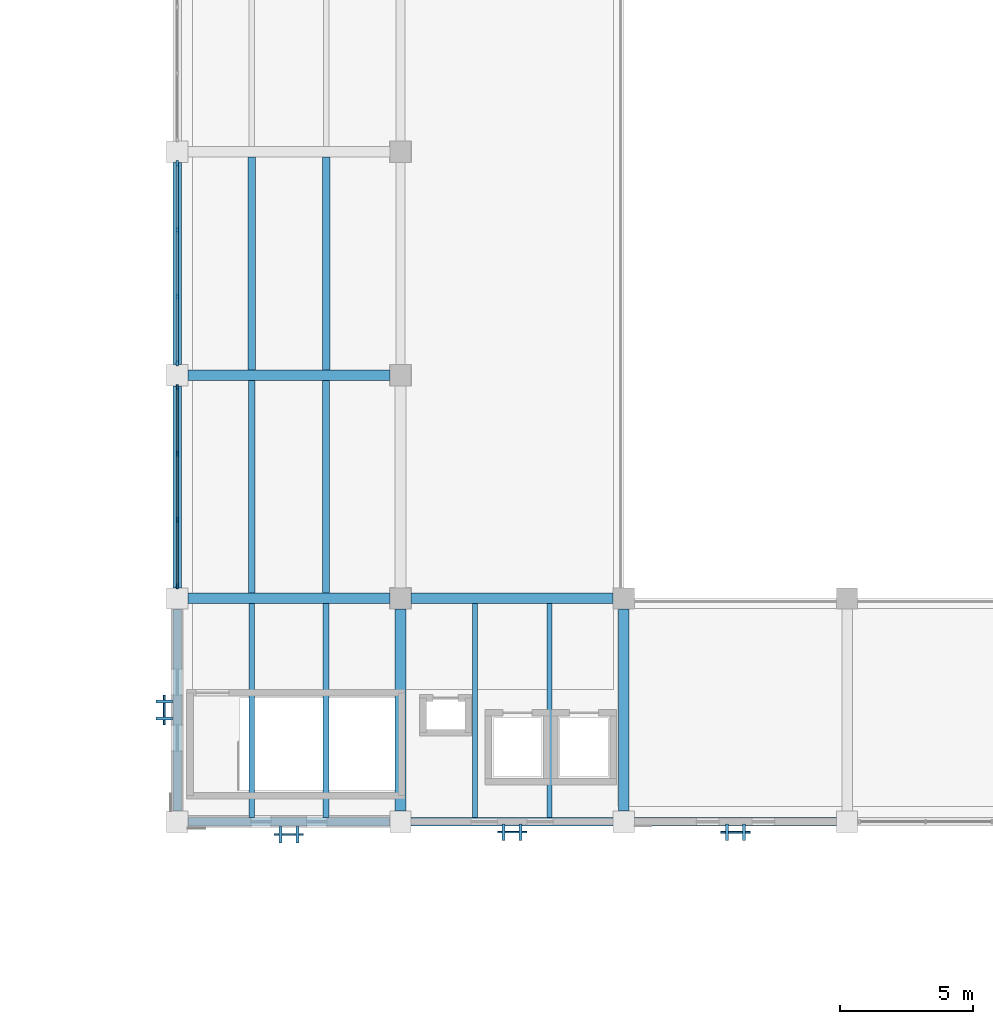
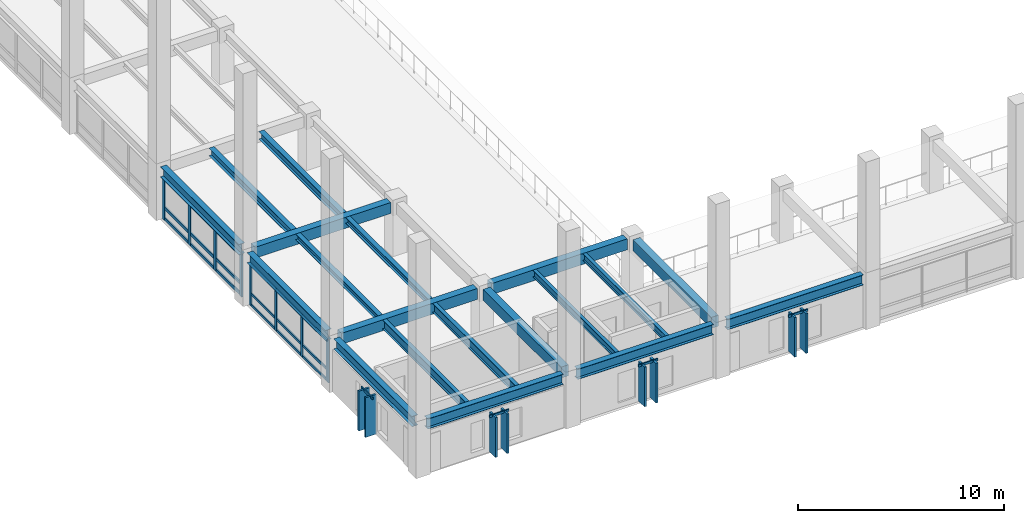
# One storey, part 2 of 64: 38 members, 19 beams, 6 elements without a shape of their own.
"""IFC4 building model written with IfcOpenShell, lengths in metres."""

from ifc_helpers import new_model, si_unit, direction, frame, origin, origin_2d, place, context, subcontext, project, spatial, rectangle, i_section, extrude, material, material_profile, profile_set, type_object, element, aggregate, save


model = new_model("IFC4")

# Units and contexts
model_context = context("Model", 3, precision=1e-05, world=origin(), true_north=direction((0.0, 1.0)))
body_context = subcontext(model_context, "Body", "Model", "MODEL_VIEW")
ifc_project = project(units=[si_unit("LENGTHUNIT", "METRE"), si_unit("AREAUNIT", "SQUARE_METRE"), si_unit("VOLUMEUNIT", "CUBIC_METRE"), si_unit("PLANEANGLEUNIT", "RADIAN"), si_unit("MASSUNIT", "GRAM", prefix="KILO")], contexts=[model_context])

# Site, building, storey
site_placement = place(None, origin())
site = spatial("IfcSite", under=ifc_project, at=site_placement, CompositionType="ELEMENT")
building_placement = place(site_placement, origin())
building = spatial("IfcBuilding", under=site, at=building_placement, Name="Cumbredor Promenade Congress Hotel", CompositionType="ELEMENT")
storey_placement = place(building_placement, frame((0.0, 0.0, 18.47998046875)))
storey = spatial("IfcBuildingStorey", under=building, at=storey_placement, Name="L05", CompositionType="ELEMENT", Elevation=18.47998046875)

# Beams
ifc_material_1 = material(Name="Concrete C40/50", Category="concrete")
ifc_material_profile_1 = material_profile(ifc_material_1, rectangle(XDim=0.39990234375, YDim=0.64990234375, at=origin_2d()), Name="RC BEAM 400x650")
ifc_profile_set_1 = profile_set([ifc_material_profile_1], Name="Concrete C40/50")
beam_type_1 = type_object("IfcBeamType", Name="BM-RC-400x650", PredefinedType="BEAM", material=ifc_profile_set_1)
for number, where, z_axis, x_axis, name in (
    (1, (8.800048828125, 16.800048828125, 2.794921875), (1.0, 0.0, 0.0), (0.0, 1.0, 0.0), "L06 X-Grid Beam 010"),
    (2, (8.800048828125, 25.199951171875, 2.794921875), (1.0, 0.0, 0.0), (0.0, 1.0, 0.0), "L06 X-Grid Beam 012"),
    (3, (16.800048828125, 8.800048828125, 2.794921875), (0.0, 1.0, 0.0), (-1.0, 0.0, 0.0), "L06 Y-Grid Beam 031"),
):
    element("IfcBeam", number, at=place(storey_placement, frame(where, z_axis=z_axis, x_axis=x_axis)), inside=storey, type_object=beam_type_1, Name=name, PredefinedType="BEAM", context=body_context, shape_type="SweptSolid", body=[
        extrude(rectangle(XDim=0.39990234375, YDim=0.64990234375, at=origin_2d()), origin(), (0.0, 0.0, 1.0), 7.599853515625),
    ])
beam_1_placement = place(storey_placement, frame((17.199951171875, 16.800048828125, 2.794921875), z_axis=(1.0, 0.0, 0.0), x_axis=(0.0, 1.0, 0.0)))
element("IfcBeam", 4, at=beam_1_placement, inside=storey, type_object=beam_type_1, Name="L06 X-Grid Beam 032", PredefinedType="BEAM", context=body_context, shape_type="SweptSolid", body=[
    extrude(rectangle(XDim=0.39990234375, YDim=0.64990234375, at=origin_2d()), origin(), (0.0, 0.0, 1.0), 7.60009765625),
])
beam_2_placement = place(storey_placement, frame((25.199951171875, 8.800048828125, 2.794921875), z_axis=(0.0, 1.0, 0.0), x_axis=(-1.0, 0.0, 0.0)))
element("IfcBeam", 5, at=beam_2_placement, inside=storey, type_object=beam_type_1, Name="L06 Y-Grid Beam 048", PredefinedType="BEAM", context=body_context, shape_type="SweptSolid", body=[
    extrude(rectangle(XDim=0.39990234375, YDim=0.64990234375, at=origin_2d()), origin(), (0.0, 0.0, 1.0), 7.599853515625),
])
ifc_material_2 = material(Name="Steel ASTM A992 Grade 50", Category="steel")
ifc_material_profile_2 = material_profile(ifc_material_2, i_section(OverallWidth=0.323974609375, OverallDepth=0.611083984375, WebThickness=0.0126953125, FlangeThickness=0.01904296875, at=origin_2d()), Name="W24X104")
ifc_profile_set_2 = profile_set([ifc_material_profile_2], Name="Steel ASTM A992 Grade 50")
beam_type_2 = type_object("IfcBeamType", Name="BM-W24X104", PredefinedType="BEAM", material=ifc_profile_set_2)
beam_3_placement = place(storey_placement, frame((8.800048828125, 8.39990234375, 2.814453125), z_axis=(1.0, 0.0, 0.0), x_axis=(0.0, 1.0, 0.0)))
element("IfcBeam", 6, at=beam_3_placement, inside=storey, type_object=beam_type_2, Name="L06 X-Grid Beam 008", PredefinedType="BEAM", context=body_context, shape_type="SweptSolid", body=[
    extrude(i_section(OverallWidth=0.323974609375, OverallDepth=0.611083984375, WebThickness=0.0126953125, FlangeThickness=0.01904296875, at=origin_2d()), origin(), (0.0, 0.0, 1.0), 7.599853515625),
])
beam_4_placement = place(storey_placement, frame((17.199951171875, 8.39990234375, 2.814453125), z_axis=(1.0, 0.0, 0.0), x_axis=(0.0, 1.0, 0.0)))
element("IfcBeam", 7, at=beam_4_placement, inside=storey, type_object=beam_type_2, Name="L06 X-Grid Beam 030", PredefinedType="BEAM", context=body_context, shape_type="SweptSolid", body=[
    extrude(i_section(OverallWidth=0.323974609375, OverallDepth=0.611083984375, WebThickness=0.0126953125, FlangeThickness=0.01904296875, at=origin_2d()), origin(), (0.0, 0.0, 1.0), 7.60009765625),
])
beam_5_placement = place(storey_placement, frame((25.60009765625, 8.39990234375, 2.814453125), z_axis=(1.0, 0.0, 0.0), x_axis=(0.0, 1.0, 0.0)))
element("IfcBeam", 8, at=beam_5_placement, inside=storey, type_object=beam_type_2, Name="L06 X-Grid Beam 047", PredefinedType="BEAM", context=body_context, shape_type="SweptSolid", body=[
    extrude(i_section(OverallWidth=0.323974609375, OverallDepth=0.611083984375, WebThickness=0.0126953125, FlangeThickness=0.01904296875, at=origin_2d()), origin(), (0.0, 0.0, 1.0), 7.599853515625),
])

# Curtain wall, members
ifc_material_3 = material(Name="Thermally broken anodized aluminium and low-E glass", Category="aluminium")
curtain_wall_type_1 = type_object("IfcCurtainWallType", Name="Unitised Bronze Curtain Wall CW-01", PredefinedType="NOTDEFINED", material=ifc_material_3)
curtain_wall_1_placement = place(storey_placement, origin())
curtain_wall_1 = element("IfcCurtainWall", 9, at=curtain_wall_1_placement, inside=storey, type_object=curtain_wall_type_1, Name="L05 Plenary Congress Hall West Curtain Wall 2", PredefinedType="NOTDEFINED")
ifc_material_4 = material(Name="Thermally broken anodized aluminium", Category="aluminium")
ifc_material_profile_3 = material_profile(ifc_material_4, rectangle(XDim=0.074951171875, YDim=0.199951171875, at=origin_2d()), Name="ALU MULLION 75x200")
ifc_profile_set_3 = profile_set([ifc_material_profile_3], Name="Thermally broken anodized aluminium")
member_type_1 = type_object("IfcMemberType", Name="Curtain Wall Mullion ML-02", PredefinedType="MULLION", material=ifc_profile_set_3)
member_1_placement = place(storey_placement, frame((8.39990234375, 17.2548828125, -0.008056640625), z_axis=(0.0, 0.0, 1.0), x_axis=(1.0, 0.0, 0.0)))
member_1 = element("IfcMember", 10, at=member_1_placement, type_object=member_type_1, Name="L05 Plenary Congress Hall West Curtain Wall 2 Mullion 1", PredefinedType="MULLION", context=body_context, shape_type="SweptSolid", body=[
    extrude(rectangle(XDim=0.074951171875, YDim=0.199951171875, at=origin_2d()), origin(), (0.0, 0.0, 1.0), 2.510009765625),
])
member_2_placement = place(storey_placement, frame((8.39990234375, 19.751708984375, -0.008056640625), z_axis=(0.0, 0.0, 1.0), x_axis=(1.0, 0.0, 0.0)))
member_2 = element("IfcMember", 11, at=member_2_placement, type_object=member_type_1, Name="L05 Plenary Congress Hall West Curtain Wall 2 Mullion 2", PredefinedType="MULLION", context=body_context, shape_type="SweptSolid", body=[
    extrude(rectangle(XDim=0.074951171875, YDim=0.199951171875, at=origin_2d()), origin(), (0.0, 0.0, 1.0), 2.510009765625),
])
member_3_placement = place(storey_placement, frame((8.39990234375, 22.248291015625, -0.008056640625), z_axis=(0.0, 0.0, 1.0), x_axis=(1.0, 0.0, 0.0)))
member_3 = element("IfcMember", 12, at=member_3_placement, type_object=member_type_1, Name="L05 Plenary Congress Hall West Curtain Wall 2 Mullion 3", PredefinedType="MULLION", context=body_context, shape_type="SweptSolid", body=[
    extrude(rectangle(XDim=0.074951171875, YDim=0.199951171875, at=origin_2d()), origin(), (0.0, 0.0, 1.0), 2.510009765625),
])
member_4_placement = place(storey_placement, frame((8.39990234375, 24.7451171875, -0.008056640625), z_axis=(0.0, 0.0, 1.0), x_axis=(1.0, 0.0, 0.0)))
member_4 = element("IfcMember", 13, at=member_4_placement, type_object=member_type_1, Name="L05 Plenary Congress Hall West Curtain Wall 2 Mullion 4", PredefinedType="MULLION", context=body_context, shape_type="SweptSolid", body=[
    extrude(rectangle(XDim=0.074951171875, YDim=0.199951171875, at=origin_2d()), origin(), (0.0, 0.0, 1.0), 2.510009765625),
])

curtain_wall_2_placement = place(storey_placement, origin())
curtain_wall_2 = element("IfcCurtainWall", 14, at=curtain_wall_2_placement, inside=storey, type_object=curtain_wall_type_1, Name="L05 Plenary Congress Hall West Curtain Wall 3", PredefinedType="NOTDEFINED")
ifc_material_profile_4 = material_profile(ifc_material_4, rectangle(XDim=0.080078125, YDim=0.239990234375, at=origin_2d()), Name="ALU MULLION 80x240")
ifc_profile_set_4 = profile_set([ifc_material_profile_4], Name="Thermally broken anodized aluminium")
member_type_2 = type_object("IfcMemberType", Name="Curtain Wall Mullion ML-03", PredefinedType="MULLION", material=ifc_profile_set_4)
member_5_placement = place(storey_placement, frame((8.39990234375, 25.655029296875, -0.008056640625), z_axis=(0.0, 0.0, 1.0), x_axis=(1.0, 0.0, 0.0)))
member_5 = element("IfcMember", 15, at=member_5_placement, type_object=member_type_2, Name="L05 Plenary Congress Hall West Curtain Wall 3 Mullion 1", PredefinedType="MULLION", context=body_context, shape_type="SweptSolid", body=[
    extrude(rectangle(XDim=0.080078125, YDim=0.239990234375, at=origin_2d()), origin(), (0.0, 0.0, 1.0), 2.510009765625),
])
member_6_placement = place(storey_placement, frame((8.39990234375, 28.151611328125, -0.008056640625), z_axis=(0.0, 0.0, 1.0), x_axis=(1.0, 0.0, 0.0)))
member_6 = element("IfcMember", 16, at=member_6_placement, type_object=member_type_2, Name="L05 Plenary Congress Hall West Curtain Wall 3 Mullion 2", PredefinedType="MULLION", context=body_context, shape_type="SweptSolid", body=[
    extrude(rectangle(XDim=0.080078125, YDim=0.239990234375, at=origin_2d()), origin(), (0.0, 0.0, 1.0), 2.510009765625),
])
member_7_placement = place(storey_placement, frame((8.39990234375, 30.648193359375, -0.008056640625), z_axis=(0.0, 0.0, 1.0), x_axis=(1.0, 0.0, 0.0)))
member_7 = element("IfcMember", 17, at=member_7_placement, type_object=member_type_2, Name="L05 Plenary Congress Hall West Curtain Wall 3 Mullion 3", PredefinedType="MULLION", context=body_context, shape_type="SweptSolid", body=[
    extrude(rectangle(XDim=0.080078125, YDim=0.239990234375, at=origin_2d()), origin(), (0.0, 0.0, 1.0), 2.510009765625),
])
member_8_placement = place(storey_placement, frame((8.39990234375, 33.14501953125, -0.008056640625), z_axis=(0.0, 0.0, 1.0), x_axis=(1.0, 0.0, 0.0)))
member_8 = element("IfcMember", 18, at=member_8_placement, type_object=member_type_2, Name="L05 Plenary Congress Hall West Curtain Wall 3 Mullion 4", PredefinedType="MULLION", context=body_context, shape_type="SweptSolid", body=[
    extrude(rectangle(XDim=0.080078125, YDim=0.239990234375, at=origin_2d()), origin(), (0.0, 0.0, 1.0), 2.510009765625),
])

# Curtain wall, member
curtain_wall_type_2 = type_object("IfcCurtainWallType", Name="Solar Brise-Soleil Screen Assembly CW-07", PredefinedType="NOTDEFINED", material=ifc_material_3)
curtain_wall_3_placement = place(storey_placement, origin())
curtain_wall_3 = element("IfcCurtainWall", 19, at=curtain_wall_3_placement, inside=storey, type_object=curtain_wall_type_2, Name="L05 Pier Brise-Soleil Screen 0805", PredefinedType="NOTDEFINED")
ifc_material_profile_5 = material_profile(ifc_material_4, rectangle(XDim=0.06494140625, YDim=0.1298828125, at=origin_2d()), Name="ALU TRANSOM 65x130")
ifc_profile_set_5 = profile_set([ifc_material_profile_5], Name="Thermally broken anodized aluminium")
member_type_3 = type_object("IfcMemberType", Name="Curtain Wall Transom TR-01", PredefinedType="USERDEFINED", material=ifc_profile_set_5)
member_9_placement = place(storey_placement, frame((12.050048828125, 7.9150390625, 2.333984375), z_axis=(1.0, 0.0, 0.0), x_axis=(0.0, 1.0, 0.0)))
member_9 = element("IfcMember", 20, at=member_9_placement, type_object=member_type_3, Name="L05 Pier Brise-Soleil Header 0807", ObjectType="TRANSOM", PredefinedType="USERDEFINED", context=body_context, shape_type="SweptSolid", body=[
    extrude(rectangle(XDim=0.06494140625, YDim=0.1298828125, at=origin_2d()), origin(), (0.0, 0.0, 1.0), 1.099853515625),
])

curtain_wall_4_placement = place(storey_placement, origin())
curtain_wall_4 = element("IfcCurtainWall", 21, at=curtain_wall_4_placement, inside=storey, type_object=curtain_wall_type_2, Name="L05 Pier Brise-Soleil Screen 0808", PredefinedType="NOTDEFINED")
member_10_placement = place(storey_placement, frame((20.449951171875, 8.010009765625, 2.333984375), z_axis=(1.0, 0.0, 0.0), x_axis=(0.0, 1.0, 0.0)))
member_10 = element("IfcMember", 22, at=member_10_placement, type_object=member_type_3, Name="L05 Pier Brise-Soleil Header 0810", ObjectType="TRANSOM", PredefinedType="USERDEFINED", context=body_context, shape_type="SweptSolid", body=[
    extrude(rectangle(XDim=0.06494140625, YDim=0.1298828125, at=origin_2d()), origin(), (0.0, 0.0, 1.0), 1.10009765625),
])

curtain_wall_5_placement = place(storey_placement, origin())
curtain_wall_5 = element("IfcCurtainWall", 23, at=curtain_wall_5_placement, inside=storey, type_object=curtain_wall_type_2, Name="L05 Pier Brise-Soleil Screen 0811", PredefinedType="NOTDEFINED")
member_11_placement = place(storey_placement, frame((28.85009765625, 8.0, 2.333984375), z_axis=(1.0, 0.0, 0.0), x_axis=(0.0, 1.0, 0.0)))
member_11 = element("IfcMember", 24, at=member_11_placement, type_object=member_type_3, Name="L05 Pier Brise-Soleil Header 0813", ObjectType="TRANSOM", PredefinedType="USERDEFINED", context=body_context, shape_type="SweptSolid", body=[
    extrude(rectangle(XDim=0.06494140625, YDim=0.1298828125, at=origin_2d()), origin(), (0.0, 0.0, 1.0), 1.099853515625),
])

curtain_wall_6_placement = place(storey_placement, origin())
curtain_wall_6 = element("IfcCurtainWall", 25, at=curtain_wall_6_placement, inside=storey, type_object=curtain_wall_type_2, Name="L05 Pier Brise-Soleil Screen 0835", PredefinedType="NOTDEFINED")
member_12_placement = place(storey_placement, frame((7.9150390625, 12.050048828125, 2.333984375), z_axis=(0.0, 1.0, 0.0), x_axis=(-1.0, 0.0, 0.0)))
member_12 = element("IfcMember", 26, at=member_12_placement, type_object=member_type_3, Name="L05 Pier Brise-Soleil Header 0837", ObjectType="TRANSOM", PredefinedType="USERDEFINED", context=body_context, shape_type="SweptSolid", body=[
    extrude(rectangle(XDim=0.06494140625, YDim=0.1298828125, at=origin_2d()), origin(), (0.0, 0.0, 1.0), 1.099853515625),
])

# Member
ifc_material_profile_6 = material_profile(ifc_material_4, rectangle(XDim=0.074951171875, YDim=0.14990234375, at=origin_2d()), Name="ALU TRANSOM 75x150")
ifc_profile_set_6 = profile_set([ifc_material_profile_6], Name="Thermally broken anodized aluminium")
member_type_4 = type_object("IfcMemberType", Name="Curtain Wall Transom TR-02", PredefinedType="USERDEFINED", material=ifc_profile_set_6)
member_13_placement = place(storey_placement, frame((8.39990234375, 17.29248046875, 0.070068359375), z_axis=(0.0, 1.0, 0.0), x_axis=(-1.0, 0.0, 0.0)))
member_13 = element("IfcMember", 27, at=member_13_placement, type_object=member_type_4, Name="L05 Plenary Congress Hall West Curtain Wall 2 Transom 1.1", ObjectType="TRANSOM", PredefinedType="USERDEFINED", context=body_context, shape_type="SweptSolid", body=[
    extrude(rectangle(XDim=0.074951171875, YDim=0.14990234375, at=origin_2d()), origin(), (0.0, 0.0, 1.0), 2.421630859375),
])

member_14_placement = place(storey_placement, frame((8.39990234375, 17.29248046875, 0.719970703125), z_axis=(0.0, 1.0, 0.0), x_axis=(-1.0, 0.0, 0.0)))
member_14 = element("IfcMember", 28, at=member_14_placement, type_object=member_type_4, Name="L05 Plenary Congress Hall West Curtain Wall 2 Transom 1.2", ObjectType="TRANSOM", PredefinedType="USERDEFINED", context=body_context, shape_type="SweptSolid", body=[
    extrude(rectangle(XDim=0.074951171875, YDim=0.14990234375, at=origin_2d()), origin(), (0.0, 0.0, 1.0), 2.421630859375),
])

member_15_placement = place(storey_placement, frame((8.39990234375, 17.29248046875, 2.419921875), z_axis=(0.0, 1.0, 0.0), x_axis=(-1.0, 0.0, 0.0)))
member_15 = element("IfcMember", 29, at=member_15_placement, type_object=member_type_4, Name="L05 Plenary Congress Hall West Curtain Wall 2 Transom 1.3", ObjectType="TRANSOM", PredefinedType="USERDEFINED", context=body_context, shape_type="SweptSolid", body=[
    extrude(rectangle(XDim=0.074951171875, YDim=0.14990234375, at=origin_2d()), origin(), (0.0, 0.0, 1.0), 2.421630859375),
])

member_16_placement = place(storey_placement, frame((8.39990234375, 19.789306640625, 0.070068359375), z_axis=(0.0, 1.0, 0.0), x_axis=(-1.0, 0.0, 0.0)))
member_16 = element("IfcMember", 30, at=member_16_placement, type_object=member_type_4, Name="L05 Plenary Congress Hall West Curtain Wall 2 Transom 2.1", ObjectType="TRANSOM", PredefinedType="USERDEFINED", context=body_context, shape_type="SweptSolid", body=[
    extrude(rectangle(XDim=0.074951171875, YDim=0.14990234375, at=origin_2d()), origin(), (0.0, 0.0, 1.0), 2.42138671875),
])

member_17_placement = place(storey_placement, frame((8.39990234375, 19.789306640625, 0.719970703125), z_axis=(0.0, 1.0, 0.0), x_axis=(-1.0, 0.0, 0.0)))
member_17 = element("IfcMember", 31, at=member_17_placement, type_object=member_type_4, Name="L05 Plenary Congress Hall West Curtain Wall 2 Transom 2.2", ObjectType="TRANSOM", PredefinedType="USERDEFINED", context=body_context, shape_type="SweptSolid", body=[
    extrude(rectangle(XDim=0.074951171875, YDim=0.14990234375, at=origin_2d()), origin(), (0.0, 0.0, 1.0), 2.42138671875),
])

member_18_placement = place(storey_placement, frame((8.39990234375, 19.789306640625, 2.419921875), z_axis=(0.0, 1.0, 0.0), x_axis=(-1.0, 0.0, 0.0)))
member_18 = element("IfcMember", 32, at=member_18_placement, type_object=member_type_4, Name="L05 Plenary Congress Hall West Curtain Wall 2 Transom 2.3", ObjectType="TRANSOM", PredefinedType="USERDEFINED", context=body_context, shape_type="SweptSolid", body=[
    extrude(rectangle(XDim=0.074951171875, YDim=0.14990234375, at=origin_2d()), origin(), (0.0, 0.0, 1.0), 2.42138671875),
])

member_19_placement = place(storey_placement, frame((8.39990234375, 22.285888671875, 0.070068359375), z_axis=(0.0, 1.0, 0.0), x_axis=(-1.0, 0.0, 0.0)))
member_19 = element("IfcMember", 33, at=member_19_placement, type_object=member_type_4, Name="L05 Plenary Congress Hall West Curtain Wall 2 Transom 3.1", ObjectType="TRANSOM", PredefinedType="USERDEFINED", context=body_context, shape_type="SweptSolid", body=[
    extrude(rectangle(XDim=0.074951171875, YDim=0.14990234375, at=origin_2d()), origin(), (0.0, 0.0, 1.0), 2.421630859375),
])

member_20_placement = place(storey_placement, frame((8.39990234375, 22.285888671875, 0.719970703125), z_axis=(0.0, 1.0, 0.0), x_axis=(-1.0, 0.0, 0.0)))
member_20 = element("IfcMember", 34, at=member_20_placement, type_object=member_type_4, Name="L05 Plenary Congress Hall West Curtain Wall 2 Transom 3.2", ObjectType="TRANSOM", PredefinedType="USERDEFINED", context=body_context, shape_type="SweptSolid", body=[
    extrude(rectangle(XDim=0.074951171875, YDim=0.14990234375, at=origin_2d()), origin(), (0.0, 0.0, 1.0), 2.421630859375),
])

member_21_placement = place(storey_placement, frame((8.39990234375, 22.285888671875, 2.419921875), z_axis=(0.0, 1.0, 0.0), x_axis=(-1.0, 0.0, 0.0)))
member_21 = element("IfcMember", 35, at=member_21_placement, type_object=member_type_4, Name="L05 Plenary Congress Hall West Curtain Wall 2 Transom 3.3", ObjectType="TRANSOM", PredefinedType="USERDEFINED", context=body_context, shape_type="SweptSolid", body=[
    extrude(rectangle(XDim=0.074951171875, YDim=0.14990234375, at=origin_2d()), origin(), (0.0, 0.0, 1.0), 2.421630859375),
])

aggregate(curtain_wall_1, [member_1, member_2, member_3, member_4, member_13, member_14, member_15, member_16, member_17, member_18, member_19, member_20, member_21])

ifc_material_profile_7 = material_profile(ifc_material_4, rectangle(XDim=0.080078125, YDim=0.179931640625, at=origin_2d()), Name="ALU TRANSOM 80x180")
ifc_profile_set_7 = profile_set([ifc_material_profile_7], Name="Thermally broken anodized aluminium")
member_type_5 = type_object("IfcMemberType", Name="Curtain Wall Transom TR-03", PredefinedType="USERDEFINED", material=ifc_profile_set_7)
member_22_placement = place(storey_placement, frame((8.39990234375, 25.695068359375, 0.090087890625), z_axis=(0.0, 1.0, 0.0), x_axis=(-1.0, 0.0, 0.0)))
member_22 = element("IfcMember", 36, at=member_22_placement, type_object=member_type_5, Name="L05 Plenary Congress Hall West Curtain Wall 3 Transom 1.1", ObjectType="TRANSOM", PredefinedType="USERDEFINED", context=body_context, shape_type="SweptSolid", body=[
    extrude(rectangle(XDim=0.080078125, YDim=0.179931640625, at=origin_2d()), origin(), (0.0, 0.0, 1.0), 2.416748046875),
])

member_23_placement = place(storey_placement, frame((8.39990234375, 25.695068359375, 0.719970703125), z_axis=(0.0, 1.0, 0.0), x_axis=(-1.0, 0.0, 0.0)))
member_23 = element("IfcMember", 37, at=member_23_placement, type_object=member_type_5, Name="L05 Plenary Congress Hall West Curtain Wall 3 Transom 1.2", ObjectType="TRANSOM", PredefinedType="USERDEFINED", context=body_context, shape_type="SweptSolid", body=[
    extrude(rectangle(XDim=0.080078125, YDim=0.179931640625, at=origin_2d()), origin(), (0.0, 0.0, 1.0), 2.416748046875),
])

member_24_placement = place(storey_placement, frame((8.39990234375, 25.695068359375, 2.39990234375), z_axis=(0.0, 1.0, 0.0), x_axis=(-1.0, 0.0, 0.0)))
member_24 = element("IfcMember", 38, at=member_24_placement, type_object=member_type_5, Name="L05 Plenary Congress Hall West Curtain Wall 3 Transom 1.3", ObjectType="TRANSOM", PredefinedType="USERDEFINED", context=body_context, shape_type="SweptSolid", body=[
    extrude(rectangle(XDim=0.080078125, YDim=0.179931640625, at=origin_2d()), origin(), (0.0, 0.0, 1.0), 2.416748046875),
])

member_25_placement = place(storey_placement, frame((8.39990234375, 28.191650390625, 0.090087890625), z_axis=(0.0, 1.0, 0.0), x_axis=(-1.0, 0.0, 0.0)))
member_25 = element("IfcMember", 39, at=member_25_placement, type_object=member_type_5, Name="L05 Plenary Congress Hall West Curtain Wall 3 Transom 2.1", ObjectType="TRANSOM", PredefinedType="USERDEFINED", context=body_context, shape_type="SweptSolid", body=[
    extrude(rectangle(XDim=0.080078125, YDim=0.179931640625, at=origin_2d()), origin(), (0.0, 0.0, 1.0), 2.416748046875),
])

member_26_placement = place(storey_placement, frame((8.39990234375, 28.191650390625, 0.719970703125), z_axis=(0.0, 1.0, 0.0), x_axis=(-1.0, 0.0, 0.0)))
member_26 = element("IfcMember", 40, at=member_26_placement, type_object=member_type_5, Name="L05 Plenary Congress Hall West Curtain Wall 3 Transom 2.2", ObjectType="TRANSOM", PredefinedType="USERDEFINED", context=body_context, shape_type="SweptSolid", body=[
    extrude(rectangle(XDim=0.080078125, YDim=0.179931640625, at=origin_2d()), origin(), (0.0, 0.0, 1.0), 2.416748046875),
])

member_27_placement = place(storey_placement, frame((8.39990234375, 28.191650390625, 2.39990234375), z_axis=(0.0, 1.0, 0.0), x_axis=(-1.0, 0.0, 0.0)))
member_27 = element("IfcMember", 41, at=member_27_placement, type_object=member_type_5, Name="L05 Plenary Congress Hall West Curtain Wall 3 Transom 2.3", ObjectType="TRANSOM", PredefinedType="USERDEFINED", context=body_context, shape_type="SweptSolid", body=[
    extrude(rectangle(XDim=0.080078125, YDim=0.179931640625, at=origin_2d()), origin(), (0.0, 0.0, 1.0), 2.416748046875),
])

member_28_placement = place(storey_placement, frame((8.39990234375, 30.688232421875, 0.090087890625), z_axis=(0.0, 1.0, 0.0), x_axis=(-1.0, 0.0, 0.0)))
member_28 = element("IfcMember", 42, at=member_28_placement, type_object=member_type_5, Name="L05 Plenary Congress Hall West Curtain Wall 3 Transom 3.1", ObjectType="TRANSOM", PredefinedType="USERDEFINED", context=body_context, shape_type="SweptSolid", body=[
    extrude(rectangle(XDim=0.080078125, YDim=0.179931640625, at=origin_2d()), origin(), (0.0, 0.0, 1.0), 2.416748046875),
])

member_29_placement = place(storey_placement, frame((8.39990234375, 30.688232421875, 0.719970703125), z_axis=(0.0, 1.0, 0.0), x_axis=(-1.0, 0.0, 0.0)))
member_29 = element("IfcMember", 43, at=member_29_placement, type_object=member_type_5, Name="L05 Plenary Congress Hall West Curtain Wall 3 Transom 3.2", ObjectType="TRANSOM", PredefinedType="USERDEFINED", context=body_context, shape_type="SweptSolid", body=[
    extrude(rectangle(XDim=0.080078125, YDim=0.179931640625, at=origin_2d()), origin(), (0.0, 0.0, 1.0), 2.416748046875),
])

member_30_placement = place(storey_placement, frame((8.39990234375, 30.688232421875, 2.39990234375), z_axis=(0.0, 1.0, 0.0), x_axis=(-1.0, 0.0, 0.0)))
member_30 = element("IfcMember", 44, at=member_30_placement, type_object=member_type_5, Name="L05 Plenary Congress Hall West Curtain Wall 3 Transom 3.3", ObjectType="TRANSOM", PredefinedType="USERDEFINED", context=body_context, shape_type="SweptSolid", body=[
    extrude(rectangle(XDim=0.080078125, YDim=0.179931640625, at=origin_2d()), origin(), (0.0, 0.0, 1.0), 2.416748046875),
])

aggregate(curtain_wall_2, [member_5, member_6, member_7, member_8, member_22, member_23, member_24, member_25, member_26, member_27, member_28, member_29, member_30])

# Beams
ifc_material_profile_8 = material_profile(ifc_material_2, i_section(OverallWidth=0.2548828125, OverallDepth=0.35693359375, WebThickness=0.010498046875, FlangeThickness=0.018310546875, at=origin_2d()), Name="W14X68")
ifc_profile_set_8 = profile_set([ifc_material_profile_8], Name="Steel ASTM A992 Grade 50")
beam_type_3 = type_object("IfcBeamType", Name="JST-W14X68", PredefinedType="JOIST", material=ifc_profile_set_8)
for number, where, z_axis, x_axis, name in (
    (45, (11.199951171875, 17.0, 2.94140625), (0.0, 1.0, 0.0), (-1.0, 0.0, 0.0), "L06 Secondary Floor Joist 0009"),
    (46, (14.0, 17.0, 2.94140625), (0.0, 1.0, 0.0), (-1.0, 0.0, 0.0), "L06 Secondary Floor Joist 0010"),
):
    element("IfcBeam", number, at=place(storey_placement, frame(where, z_axis=z_axis, x_axis=x_axis)), inside=storey, type_object=beam_type_3, Name=name, PredefinedType="JOIST", context=body_context, shape_type="SweptSolid", body=[
        extrude(i_section(OverallWidth=0.2548828125, OverallDepth=0.35693359375, WebThickness=0.010498046875, FlangeThickness=0.018310546875, at=origin_2d()), origin(), (0.0, 0.0, 1.0), 8.0),
    ])
ifc_material_profile_9 = material_profile(ifc_material_2, i_section(OverallWidth=0.180908203125, OverallDepth=0.4169921875, WebThickness=0.010986328125, FlangeThickness=0.018310546875, at=origin_2d()), Name="W16X57")
ifc_profile_set_9 = profile_set([ifc_material_profile_9], Name="Steel ASTM A992 Grade 50")
beam_type_4 = type_object("IfcBeamType", Name="JST-W16X57", PredefinedType="JOIST", material=ifc_profile_set_9)
for number, where, z_axis, x_axis, name in (
    (47, (19.60009765625, 8.56201171875, 2.91162109375), (0.0, 1.0, 0.0), (-1.0, 0.0, 0.0), "L06 Secondary Floor Joist 0025"),
    (48, (22.39990234375, 8.56201171875, 2.91162109375), (0.0, 1.0, 0.0), (-1.0, 0.0, 0.0), "L06 Secondary Floor Joist 0026"),
):
    element("IfcBeam", number, at=place(storey_placement, frame(where, z_axis=z_axis, x_axis=x_axis)), inside=storey, type_object=beam_type_4, Name=name, PredefinedType="JOIST", context=body_context, shape_type="SweptSolid", body=[
        extrude(i_section(OverallWidth=0.180908203125, OverallDepth=0.4169921875, WebThickness=0.010986328125, FlangeThickness=0.018310546875, at=origin_2d()), origin(), (0.0, 0.0, 1.0), 8.0380859375),
    ])
ifc_material_profile_10 = material_profile(ifc_material_2, i_section(OverallWidth=0.280029296875, OverallDepth=0.462890625, WebThickness=0.0107421875, FlangeThickness=0.017333984375, at=origin_2d()), Name="W18X76")
ifc_profile_set_10 = profile_set([ifc_material_profile_10], Name="Steel ASTM A992 Grade 50")
beam_type_5 = type_object("IfcBeamType", Name="JST-W18X76", PredefinedType="JOIST", material=ifc_profile_set_10)
for number, where, z_axis, x_axis, name in (
    (49, (11.199951171875, 25.39990234375, 2.888427734375), (0.0, 1.0, 0.0), (-1.0, 0.0, 0.0), "L06 Secondary Floor Joist 0011"),
    (50, (14.0, 25.39990234375, 2.888427734375), (0.0, 1.0, 0.0), (-1.0, 0.0, 0.0), "L06 Secondary Floor Joist 0012"),
):
    element("IfcBeam", number, at=place(storey_placement, frame(where, z_axis=z_axis, x_axis=x_axis)), inside=storey, type_object=beam_type_5, Name=name, PredefinedType="JOIST", context=body_context, shape_type="SweptSolid", body=[
        extrude(i_section(OverallWidth=0.280029296875, OverallDepth=0.462890625, WebThickness=0.0107421875, FlangeThickness=0.017333984375, at=origin_2d()), origin(), (0.0, 0.0, 1.0), 8.0),
    ])
ifc_material_profile_11 = material_profile(ifc_material_2, i_section(OverallWidth=0.214111328125, OverallDepth=0.549072265625, WebThickness=0.0146484375, FlangeThickness=0.023681640625, at=origin_2d()), Name="W21X93")
ifc_profile_set_11 = profile_set([ifc_material_profile_11], Name="Steel ASTM A992 Grade 50")
beam_type_6 = type_object("IfcBeamType", Name="JST-W21X93", PredefinedType="JOIST", material=ifc_profile_set_11)
for number, where, z_axis, x_axis, name in (
    (51, (11.199951171875, 8.56201171875, 2.845458984375), (0.0, 1.0, 0.0), (-1.0, 0.0, 0.0), "L06 Secondary Floor Joist 0007"),
    (52, (14.0, 8.56201171875, 2.845458984375), (0.0, 1.0, 0.0), (-1.0, 0.0, 0.0), "L06 Secondary Floor Joist 0008"),
):
    element("IfcBeam", number, at=place(storey_placement, frame(where, z_axis=z_axis, x_axis=x_axis)), inside=storey, type_object=beam_type_6, Name=name, PredefinedType="JOIST", context=body_context, shape_type="SweptSolid", body=[
        extrude(i_section(OverallWidth=0.214111328125, OverallDepth=0.549072265625, WebThickness=0.0146484375, FlangeThickness=0.023681640625, at=origin_2d()), origin(), (0.0, 0.0, 1.0), 8.0380859375),
    ])
ifc_material_profile_12 = material_profile(ifc_material_2, i_section(OverallWidth=0.323974609375, OverallDepth=0.611083984375, WebThickness=0.0126953125, FlangeThickness=0.01904296875, at=origin_2d()), Name="W24X104")
ifc_profile_set_12 = profile_set([ifc_material_profile_12], Name="Steel ASTM A992 Grade 50")
beam_type_7 = type_object("IfcBeamType", Name="SP-W24X104", PredefinedType="SPANDREL", material=ifc_profile_set_12)
beam_6_placement = place(storey_placement, frame((8.39990234375, 8.800048828125, 2.814453125), z_axis=(0.0, 1.0, 0.0), x_axis=(-1.0, 0.0, 0.0)))
element("IfcBeam", 53, at=beam_6_placement, inside=storey, type_object=beam_type_7, Name="L06 Y-Grid Beam 009", PredefinedType="SPANDREL", context=body_context, shape_type="SweptSolid", body=[
    extrude(i_section(OverallWidth=0.323974609375, OverallDepth=0.611083984375, WebThickness=0.0126953125, FlangeThickness=0.01904296875, at=origin_2d()), origin(), (0.0, 0.0, 1.0), 7.599853515625),
])
beam_7_placement = place(storey_placement, frame((8.39990234375, 17.199951171875, 2.814453125), z_axis=(0.0, 1.0, 0.0), x_axis=(-1.0, 0.0, 0.0)))
element("IfcBeam", 54, at=beam_7_placement, inside=storey, type_object=beam_type_7, Name="L06 Y-Grid Beam 011", PredefinedType="SPANDREL", context=body_context, shape_type="SweptSolid", body=[
    extrude(i_section(OverallWidth=0.323974609375, OverallDepth=0.611083984375, WebThickness=0.0126953125, FlangeThickness=0.01904296875, at=origin_2d()), origin(), (0.0, 0.0, 1.0), 7.60009765625),
])
beam_8_placement = place(storey_placement, frame((8.39990234375, 25.60009765625, 2.814453125), z_axis=(0.0, 1.0, 0.0), x_axis=(-1.0, 0.0, 0.0)))
element("IfcBeam", 55, at=beam_8_placement, inside=storey, type_object=beam_type_7, Name="L06 Y-Grid Beam 013", PredefinedType="SPANDREL", context=body_context, shape_type="SweptSolid", body=[
    extrude(i_section(OverallWidth=0.323974609375, OverallDepth=0.611083984375, WebThickness=0.0126953125, FlangeThickness=0.01904296875, at=origin_2d()), origin(), (0.0, 0.0, 1.0), 7.599853515625),
])

# Member
ifc_material_profile_13 = material_profile(ifc_material_4, rectangle(XDim=0.110107421875, YDim=0.6201171875, at=origin_2d()), Name="ARCH FIN 110x620")
ifc_profile_set_13 = profile_set([ifc_material_profile_13], Name="Thermally broken anodized aluminium")
member_type_6 = type_object("IfcMemberType", Name="Vertical Bronze Brise-Soleil Fin BSF-02 110x620", PredefinedType="USERDEFINED", material=ifc_profile_set_13)
member_31_placement = place(storey_placement, frame((12.280029296875, 7.9150390625, 0.02001953125), z_axis=(0.0, 0.0, 1.0), x_axis=(1.0, 0.0, 0.0)))
member_31 = element("IfcMember", 56, at=member_31_placement, type_object=member_type_6, Name="L05 Pier Brise-Soleil Fin 0806", ObjectType="SOLAR FIN", PredefinedType="USERDEFINED", context=body_context, shape_type="SweptSolid", body=[
    extrude(rectangle(XDim=0.110107421875, YDim=0.6201171875, at=origin_2d()), origin(), (0.0, 0.0, 1.0), 2.35400390625),
])

member_32_placement = place(storey_placement, frame((12.919921875, 7.9150390625, 0.02001953125), z_axis=(0.0, 0.0, 1.0), x_axis=(1.0, 0.0, 0.0)))
member_32 = element("IfcMember", 57, at=member_32_placement, type_object=member_type_6, Name="L05 Pier Brise-Soleil Fin 0807", ObjectType="SOLAR FIN", PredefinedType="USERDEFINED", context=body_context, shape_type="SweptSolid", body=[
    extrude(rectangle(XDim=0.110107421875, YDim=0.6201171875, at=origin_2d()), origin(), (0.0, 0.0, 1.0), 2.35400390625),
])

aggregate(curtain_wall_3, [member_31, member_32, member_9])

member_33_placement = place(storey_placement, frame((20.679931640625, 8.010009765625, 0.02001953125), z_axis=(0.0, 0.0, 1.0), x_axis=(1.0, 0.0, 0.0)))
member_33 = element("IfcMember", 58, at=member_33_placement, type_object=member_type_6, Name="L05 Pier Brise-Soleil Fin 0809", ObjectType="SOLAR FIN", PredefinedType="USERDEFINED", context=body_context, shape_type="SweptSolid", body=[
    extrude(rectangle(XDim=0.110107421875, YDim=0.6201171875, at=origin_2d()), origin(), (0.0, 0.0, 1.0), 2.35400390625),
])

member_34_placement = place(storey_placement, frame((21.320068359375, 8.010009765625, 0.02001953125), z_axis=(0.0, 0.0, 1.0), x_axis=(1.0, 0.0, 0.0)))
member_34 = element("IfcMember", 59, at=member_34_placement, type_object=member_type_6, Name="L05 Pier Brise-Soleil Fin 0810", ObjectType="SOLAR FIN", PredefinedType="USERDEFINED", context=body_context, shape_type="SweptSolid", body=[
    extrude(rectangle(XDim=0.110107421875, YDim=0.6201171875, at=origin_2d()), origin(), (0.0, 0.0, 1.0), 2.35400390625),
])

aggregate(curtain_wall_4, [member_33, member_34, member_10])

member_35_placement = place(storey_placement, frame((29.080078125, 8.0, 0.02001953125), z_axis=(0.0, 0.0, 1.0), x_axis=(1.0, 0.0, 0.0)))
member_35 = element("IfcMember", 60, at=member_35_placement, type_object=member_type_6, Name="L05 Pier Brise-Soleil Fin 0812", ObjectType="SOLAR FIN", PredefinedType="USERDEFINED", context=body_context, shape_type="SweptSolid", body=[
    extrude(rectangle(XDim=0.110107421875, YDim=0.6201171875, at=origin_2d()), origin(), (0.0, 0.0, 1.0), 2.35400390625),
])

member_36_placement = place(storey_placement, frame((29.719970703125, 8.0, 0.02001953125), z_axis=(0.0, 0.0, 1.0), x_axis=(1.0, 0.0, 0.0)))
member_36 = element("IfcMember", 61, at=member_36_placement, type_object=member_type_6, Name="L05 Pier Brise-Soleil Fin 0813", ObjectType="SOLAR FIN", PredefinedType="USERDEFINED", context=body_context, shape_type="SweptSolid", body=[
    extrude(rectangle(XDim=0.110107421875, YDim=0.6201171875, at=origin_2d()), origin(), (0.0, 0.0, 1.0), 2.35400390625),
])

aggregate(curtain_wall_5, [member_35, member_36, member_11])

member_37_placement = place(storey_placement, frame((7.9150390625, 12.280029296875, 0.02001953125), z_axis=(0.0, 0.0, 1.0), x_axis=(0.0, 1.0, 0.0)))
member_37 = element("IfcMember", 62, at=member_37_placement, type_object=member_type_6, Name="L05 Pier Brise-Soleil Fin 0836", ObjectType="SOLAR FIN", PredefinedType="USERDEFINED", context=body_context, shape_type="SweptSolid", body=[
    extrude(rectangle(XDim=0.110107421875, YDim=0.6201171875, at=origin_2d()), origin(), (0.0, 0.0, 1.0), 2.35400390625),
])

member_38_placement = place(storey_placement, frame((7.9150390625, 12.919921875, 0.02001953125), z_axis=(0.0, 0.0, 1.0), x_axis=(0.0, 1.0, 0.0)))
member_38 = element("IfcMember", 63, at=member_38_placement, type_object=member_type_6, Name="L05 Pier Brise-Soleil Fin 0837", ObjectType="SOLAR FIN", PredefinedType="USERDEFINED", context=body_context, shape_type="SweptSolid", body=[
    extrude(rectangle(XDim=0.110107421875, YDim=0.6201171875, at=origin_2d()), origin(), (0.0, 0.0, 1.0), 2.35400390625),
])

aggregate(curtain_wall_6, [member_37, member_38, member_12])

save(model, "model.ifc")
